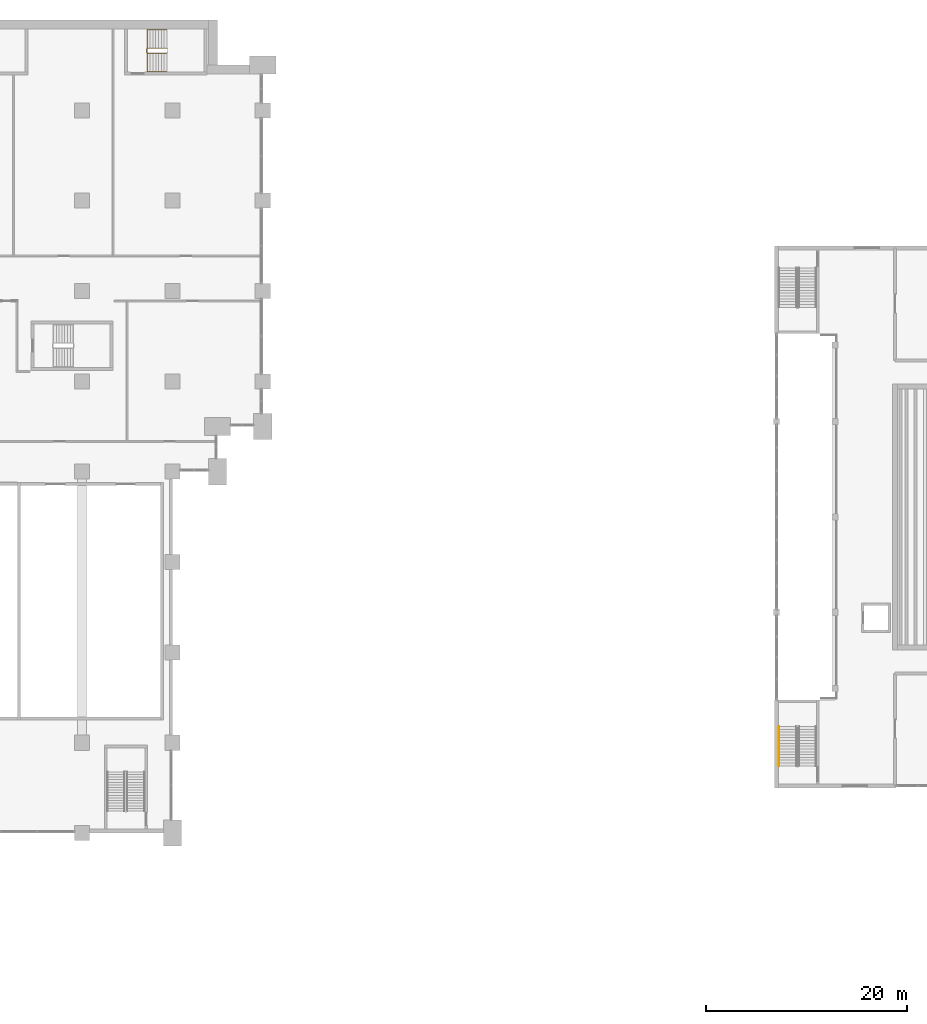
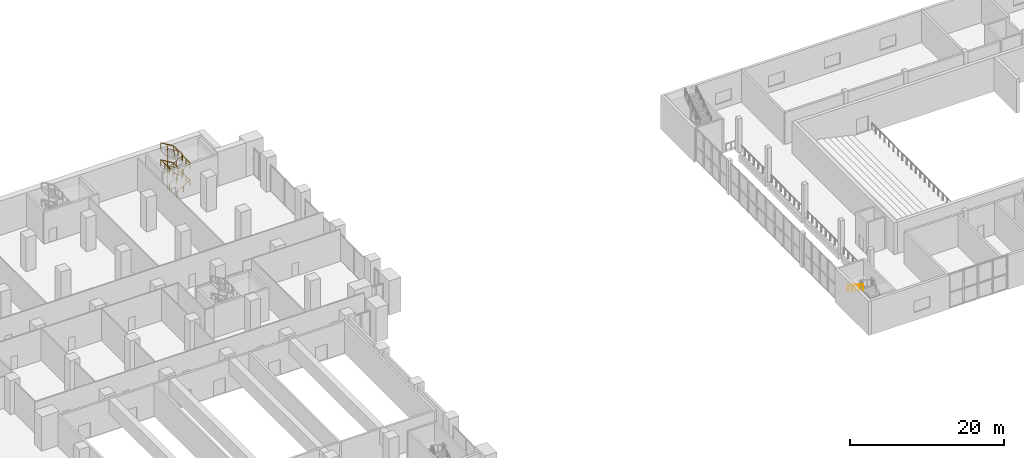
# One storey, part 37 of 43: 3 railings.
"""IFC4 building model written with IfcOpenShell, lengths in metres."""

from ifc_helpers import new_model, si_unit, direction, frame, origin, origin_2d, place, context, subcontext, project, spatial, circle, extrude, material, type_object, element, save


model = new_model("IFC4")

# Units and contexts
model_context = context("Model", 3, precision=1e-05, world=origin(), true_north=direction((0.0, 1.0)))
body_context = subcontext(model_context, "Body", "Model", "MODEL_VIEW")
ifc_project = project(units=[si_unit("LENGTHUNIT", "METRE"), si_unit("AREAUNIT", "SQUARE_METRE"), si_unit("VOLUMEUNIT", "CUBIC_METRE"), si_unit("PLANEANGLEUNIT", "RADIAN"), si_unit("MASSUNIT", "GRAM", prefix="KILO")], contexts=[model_context])

# Site, building, storey
site_placement = place(None, origin())
site = spatial("IfcSite", under=ifc_project, at=site_placement, CompositionType="ELEMENT")
building_placement = place(site_placement, origin())
building = spatial("IfcBuilding", under=site, at=building_placement, Name="Hunhe Ridgeline Campus", CompositionType="ELEMENT")
storey_placement = place(building_placement, frame((0.0, 0.0, 11.39990234375)))
storey = spatial("IfcBuildingStorey", under=building, at=storey_placement, Name="L02", CompositionType="ELEMENT", Elevation=11.39990234375)

# Railings
ifc_material_1 = material(Name="Steel Q235", Category="steel")
railing_type_1 = type_object("IfcRailingType", Name="Hall stair handrail", PredefinedType="HANDRAIL", material=ifc_material_1)
railing_1_placement = place(storey_placement, frame((150.449951171875, 28.6201171875, 2.880126953125)))
element("IfcRailing", 1, at=railing_1_placement, inside=storey, type_object=railing_type_1, Name="L02 HS1 stair handrail 2", PredefinedType="HANDRAIL", context=body_context, shape_type="SweptSolid", body=[
    extrude(circle(Radius=0.02392578125, at=origin_2d()), frame((0.0, 0.0, 0.8759765625), z_axis=(0.0, -0.841186985886, 0.540744352514), x_axis=(1.0, 0.0, 0.0)), (0.0, 0.0, 1.0), 4.660400390625),
    extrude(circle(Radius=0.02099609375, at=origin_2d()), origin(), (0.0, 0.0, 1.0), 0.851806640625),
    extrude(circle(Radius=0.02099609375, at=origin_2d()), frame((0.0, -0.97998046875, 0.6298828125)), (0.0, 0.0, 1.0), 0.851806640625),
    extrude(circle(Radius=0.02099609375, at=origin_2d()), frame((0.0, -1.9599609375, 1.260009765625)), (0.0, 0.0, 1.0), 0.851806640625),
    extrude(circle(Radius=0.02099609375, at=origin_2d()), frame((0.0, -2.940185546875, 1.89013671875)), (0.0, 0.0, 1.0), 0.851806640625),
    extrude(circle(Radius=0.02099609375, at=origin_2d()), frame((0.0, -3.920166015625, 2.52001953125)), (0.0, 0.0, 1.0), 0.851806640625),
])
ifc_material_2 = material(Name="Stainless steel balustrade", Category="steel")
railing_type_2 = type_object("IfcRailingType", Name="Stair guard 1100 stainless", PredefinedType="GUARDRAIL", material=ifc_material_2)
railing_2_placement = place(storey_placement, frame((87.5, 95.699951171875, 0.1689453125)))
element("IfcRailing", 2, at=railing_2_placement, inside=storey, type_object=railing_type_2, Name="L02 stair E4 guard", PredefinedType="GUARDRAIL", context=body_context, shape_type="SweptSolid", body=[
    extrude(circle(Radius=0.02392578125, at=origin_2d()), frame((0.0, 0.0, 1.076171875), z_axis=(0.856493463811, 0.0, 0.516157869696), x_axis=(0.0, 1.0, 0.0)), (0.0, 0.0, 1.0), 2.288330078125),
    extrude(circle(Radius=0.02392578125, at=origin_2d()), frame((1.9599609375, 0.0, 2.25732421875), z_axis=(0.707106781187, 0.707106781187, 0.0), x_axis=(-0.707106781187, 0.707106781187, 0.0)), (0.0, 0.0, 1.0), 0.07080078125),
    extrude(circle(Radius=0.02392578125, at=origin_2d()), frame((2.010009765625, 0.050048828125, 2.25732421875), z_axis=(0.0, 1.0, 0.0), x_axis=(-1.0, 0.0, 0.0)), (0.0, 0.0, 1.0), 0.39990234375),
    extrude(circle(Radius=0.02392578125, at=origin_2d()), frame((2.010009765625, 0.449951171875, 2.25732421875), z_axis=(-0.273569069059, 0.273569069059, 0.922127935218), x_axis=(-0.707106781187, -0.707106781187, 0.0)), (0.0, 0.0, 1.0), 0.182861328125),
    extrude(circle(Radius=0.02392578125, at=origin_2d()), frame((1.9599609375, 0.5, 2.42578125), z_axis=(-0.856446297458, 0.0, 0.516236127728), x_axis=(0.0, -1.0, 0.0)), (0.0, 0.0, 1.0), 2.28857421875),
    extrude(circle(Radius=0.02392578125, at=origin_2d()), frame((0.0, 0.5, 3.607421875), z_axis=(-0.707106781187, -0.707106781187, 0.0), x_axis=(0.707106781187, -0.707106781187, 0.0)), (0.0, 0.0, 1.0), 0.07080078125),
    extrude(circle(Radius=0.02392578125, at=origin_2d()), frame((-0.050048828125, 0.449951171875, 3.607421875), z_axis=(0.0, -1.0, 0.0), x_axis=(1.0, 0.0, 0.0)), (0.0, 0.0, 1.0), 0.39990234375),
    extrude(circle(Radius=0.02392578125, at=origin_2d()), frame((-0.050048828125, 0.050048828125, 3.607421875), z_axis=(0.273569069059, -0.273569069059, 0.922127935218), x_axis=(0.707106781187, 0.707106781187, 0.0)), (0.0, 0.0, 1.0), 0.182861328125),
    extrude(circle(Radius=0.02392578125, at=origin_2d()), frame((0.0, 0.0, 3.77587890625), z_axis=(0.856493463811, 0.0, 0.516157869696), x_axis=(0.0, 1.0, 0.0)), (0.0, 0.0, 1.0), 2.288330078125),
    extrude(circle(Radius=0.02392578125, at=origin_2d()), frame((1.9599609375, 0.0, 4.95703125), z_axis=(0.707106781187, 0.707106781187, 0.0), x_axis=(-0.707106781187, 0.707106781187, 0.0)), (0.0, 0.0, 1.0), 0.07080078125),
    extrude(circle(Radius=0.02392578125, at=origin_2d()), frame((2.010009765625, 0.050048828125, 4.95703125), z_axis=(0.0, 1.0, 0.0), x_axis=(-1.0, 0.0, 0.0)), (0.0, 0.0, 1.0), 0.39990234375),
    extrude(circle(Radius=0.02392578125, at=origin_2d()), frame((2.010009765625, 0.449951171875, 4.95703125), z_axis=(-0.273569069059, 0.273569069059, 0.922127935218), x_axis=(-0.707106781187, -0.707106781187, 0.0)), (0.0, 0.0, 1.0), 0.182861328125),
    extrude(circle(Radius=0.02392578125, at=origin_2d()), frame((1.9599609375, 0.5, 5.1259765625), z_axis=(-0.856446297458, 0.0, 0.516236127728), x_axis=(0.0, -1.0, 0.0)), (0.0, 0.0, 1.0), 2.28857421875),
    extrude(circle(Radius=0.02392578125, at=origin_2d()), frame((0.0, 0.5, 6.30712890625), z_axis=(-0.0092672541, -0.0092672541, -0.999914114313), x_axis=(1.0, 0.0, 0.0)), (0.0, 0.0, 1.0), 5.400634765625),
    extrude(circle(Radius=0.02392578125, at=origin_2d()), frame((-0.050048828125, 0.449951171875, 0.9072265625), z_axis=(0.0, -1.0, 0.0), x_axis=(1.0, 0.0, 0.0)), (0.0, 0.0, 1.0), 0.39990234375),
    extrude(circle(Radius=0.02099609375, at=origin_2d()), origin(), (0.0, 0.0, 1.0), 1.052001953125),
    extrude(circle(Radius=0.02099609375, at=origin_2d()), frame((0.97998046875, 0.0, 0.590576171875)), (0.0, 0.0, 1.0), 1.052001953125),
    extrude(circle(Radius=0.02099609375, at=origin_2d()), frame((1.9599609375, 0.0, 1.18115234375)), (0.0, 0.0, 1.0), 1.052001953125),
    extrude(circle(Radius=0.02099609375, at=origin_2d()), frame((2.010009765625, 0.050048828125, 1.18115234375)), (0.0, 0.0, 1.0), 1.052001953125),
    extrude(circle(Radius=0.02099609375, at=origin_2d()), frame((2.010009765625, 0.449951171875, 1.18115234375)), (0.0, 0.0, 1.0), 1.052001953125),
    extrude(circle(Radius=0.02099609375, at=origin_2d()), frame((1.9599609375, 0.5, 1.349853515625)), (0.0, 0.0, 1.0), 1.052001953125),
    extrude(circle(Radius=0.02099609375, at=origin_2d()), frame((0.97998046875, 0.5, 1.9404296875)), (0.0, 0.0, 1.0), 1.052001953125),
    extrude(circle(Radius=0.02099609375, at=origin_2d()), frame((0.0, 0.5, 2.53125)), (0.0, 0.0, 1.0), 1.052001953125),
    extrude(circle(Radius=0.02099609375, at=origin_2d()), frame((-0.050048828125, 0.449951171875, 2.53125)), (0.0, 0.0, 1.0), 1.052001953125),
    extrude(circle(Radius=0.02099609375, at=origin_2d()), frame((-0.050048828125, 0.050048828125, 2.53125)), (0.0, 0.0, 1.0), 1.052001953125),
    extrude(circle(Radius=0.02099609375, at=origin_2d()), frame((0.0, 0.0, 2.699951171875)), (0.0, 0.0, 1.0), 1.052001953125),
    extrude(circle(Radius=0.02099609375, at=origin_2d()), frame((0.97998046875, 0.0, 3.29052734375)), (0.0, 0.0, 1.0), 1.052001953125),
    extrude(circle(Radius=0.02099609375, at=origin_2d()), frame((1.9599609375, 0.0, 3.881103515625)), (0.0, 0.0, 1.0), 1.052001953125),
    extrude(circle(Radius=0.02099609375, at=origin_2d()), frame((2.010009765625, 0.050048828125, 3.881103515625)), (0.0, 0.0, 1.0), 1.052001953125),
    extrude(circle(Radius=0.02099609375, at=origin_2d()), frame((2.010009765625, 0.449951171875, 3.881103515625)), (0.0, 0.0, 1.0), 1.052001953125),
    extrude(circle(Radius=0.02099609375, at=origin_2d()), frame((1.9599609375, 0.5, 4.0498046875)), (0.0, 0.0, 1.0), 1.052001953125),
    extrude(circle(Radius=0.02099609375, at=origin_2d()), frame((0.97998046875, 0.5, 4.640625)), (0.0, 0.0, 1.0), 1.052001953125),
    extrude(circle(Radius=0.02099609375, at=origin_2d()), frame((0.0, 0.5, 5.231201171875)), (0.0, 0.0, 1.0), 1.052001953125),
    extrude(circle(Radius=0.02099609375, at=origin_2d()), frame((-0.010009765625, 0.489990234375, 4.151123046875)), (0.0, 0.0, 1.0), 1.052001953125),
    extrude(circle(Radius=0.02099609375, at=origin_2d()), frame((-0.02001953125, 0.47998046875, 3.071044921875)), (0.0, 0.0, 1.0), 1.052001953125),
    extrude(circle(Radius=0.02099609375, at=origin_2d()), frame((-0.030029296875, 0.469970703125, 1.9912109375)), (0.0, 0.0, 1.0), 1.052001953125),
    extrude(circle(Radius=0.02099609375, at=origin_2d()), frame((-0.0400390625, 0.4599609375, 0.9111328125)), (0.0, 0.0, 1.0), 1.052001953125),
    extrude(circle(Radius=0.02099609375, at=origin_2d()), frame((-0.050048828125, 0.449951171875, -0.1689453125)), (0.0, 0.0, 1.0), 1.052001953125),
    extrude(circle(Radius=0.02099609375, at=origin_2d()), frame((-0.050048828125, 0.050048828125, -0.1689453125)), (0.0, 0.0, 1.0), 1.052001953125),
])
ifc_material_3 = material(Name="Stainless steel handrail", Category="steel")
railing_type_3 = type_object("IfcRailingType", Name="Stair handrail 900 stainless", PredefinedType="HANDRAIL", material=ifc_material_3)
railing_3_placement = place(storey_placement, frame((87.5, 93.85009765625, 0.1689453125)))
element("IfcRailing", 3, at=railing_3_placement, inside=storey, type_object=railing_type_3, Name="L02 stair E4 handrail", PredefinedType="HANDRAIL", context=body_context, shape_type="SweptSolid", body=[
    extrude(circle(Radius=0.02392578125, at=origin_2d()), frame((0.0, 0.0, 0.8759765625), z_axis=(0.856493463811, 0.0, 0.516157869696), x_axis=(0.0, 1.0, 0.0)), (0.0, 0.0, 1.0), 2.288330078125),
    extrude(circle(Radius=0.02392578125, at=origin_2d()), frame((1.9599609375, 0.0, 2.05712890625), z_axis=(0.0, 0.999194264342, 0.040135048344), x_axis=(-1.0, 0.0, 0.0)), (0.0, 0.0, 1.0), 4.203369140625),
    extrude(circle(Radius=0.02392578125, at=origin_2d()), frame((1.9599609375, 4.199951171875, 2.2255859375), z_axis=(-0.856446297458, 0.0, 0.516236127728), x_axis=(0.0, -1.0, 0.0)), (0.0, 0.0, 1.0), 2.28857421875),
    extrude(circle(Radius=0.02392578125, at=origin_2d()), frame((0.0, 4.199951171875, 3.4072265625), z_axis=(0.0, -0.999194264342, 0.040135048344), x_axis=(1.0, 0.0, 0.0)), (0.0, 0.0, 1.0), 4.203369140625),
    extrude(circle(Radius=0.02392578125, at=origin_2d()), frame((0.0, 0.0, 3.57568359375), z_axis=(0.856493463811, 0.0, 0.516157869696), x_axis=(0.0, 1.0, 0.0)), (0.0, 0.0, 1.0), 2.288330078125),
    extrude(circle(Radius=0.02392578125, at=origin_2d()), frame((1.9599609375, 0.0, 4.7568359375), z_axis=(0.0, 0.999194264342, 0.040135048344), x_axis=(-1.0, 0.0, 0.0)), (0.0, 0.0, 1.0), 4.203369140625),
    extrude(circle(Radius=0.02392578125, at=origin_2d()), frame((1.9599609375, 4.199951171875, 4.92578125), z_axis=(-0.856446297458, 0.0, 0.516236127728), x_axis=(0.0, -1.0, 0.0)), (0.0, 0.0, 1.0), 2.28857421875),
    extrude(circle(Radius=0.02099609375, at=origin_2d()), origin(), (0.0, 0.0, 1.0), 0.851806640625),
    extrude(circle(Radius=0.02099609375, at=origin_2d()), frame((0.97998046875, 0.0, 0.590576171875)), (0.0, 0.0, 1.0), 0.851806640625),
    extrude(circle(Radius=0.02099609375, at=origin_2d()), frame((1.9599609375, 0.0, 1.18115234375)), (0.0, 0.0, 1.0), 0.851806640625),
    extrude(circle(Radius=0.02099609375, at=origin_2d()), frame((1.9599609375, 1.050048828125, 1.223388671875)), (0.0, 0.0, 1.0), 0.851806640625),
    extrude(circle(Radius=0.02099609375, at=origin_2d()), frame((1.9599609375, 2.10009765625, 1.265625)), (0.0, 0.0, 1.0), 0.851806640625),
    extrude(circle(Radius=0.02099609375, at=origin_2d()), frame((1.9599609375, 3.14990234375, 1.3076171875)), (0.0, 0.0, 1.0), 0.851806640625),
    extrude(circle(Radius=0.02099609375, at=origin_2d()), frame((1.9599609375, 4.199951171875, 1.349853515625)), (0.0, 0.0, 1.0), 0.851806640625),
    extrude(circle(Radius=0.02099609375, at=origin_2d()), frame((0.97998046875, 4.199951171875, 1.9404296875)), (0.0, 0.0, 1.0), 0.851806640625),
    extrude(circle(Radius=0.02099609375, at=origin_2d()), frame((0.0, 4.199951171875, 2.53125)), (0.0, 0.0, 1.0), 0.851806640625),
    extrude(circle(Radius=0.02099609375, at=origin_2d()), frame((0.0, 3.14990234375, 2.573486328125)), (0.0, 0.0, 1.0), 0.851806640625),
    extrude(circle(Radius=0.02099609375, at=origin_2d()), frame((0.0, 2.10009765625, 2.61572265625)), (0.0, 0.0, 1.0), 0.851806640625),
    extrude(circle(Radius=0.02099609375, at=origin_2d()), frame((0.0, 1.050048828125, 2.65771484375)), (0.0, 0.0, 1.0), 0.851806640625),
    extrude(circle(Radius=0.02099609375, at=origin_2d()), frame((0.0, 0.0, 2.699951171875)), (0.0, 0.0, 1.0), 0.851806640625),
    extrude(circle(Radius=0.02099609375, at=origin_2d()), frame((0.97998046875, 0.0, 3.29052734375)), (0.0, 0.0, 1.0), 0.851806640625),
    extrude(circle(Radius=0.02099609375, at=origin_2d()), frame((1.9599609375, 0.0, 3.881103515625)), (0.0, 0.0, 1.0), 0.851806640625),
    extrude(circle(Radius=0.02099609375, at=origin_2d()), frame((1.9599609375, 1.050048828125, 3.92333984375)), (0.0, 0.0, 1.0), 0.851806640625),
    extrude(circle(Radius=0.02099609375, at=origin_2d()), frame((1.9599609375, 2.10009765625, 3.96533203125)), (0.0, 0.0, 1.0), 0.851806640625),
    extrude(circle(Radius=0.02099609375, at=origin_2d()), frame((1.9599609375, 3.14990234375, 4.007568359375)), (0.0, 0.0, 1.0), 0.851806640625),
    extrude(circle(Radius=0.02099609375, at=origin_2d()), frame((1.9599609375, 4.199951171875, 4.0498046875)), (0.0, 0.0, 1.0), 0.851806640625),
    extrude(circle(Radius=0.02099609375, at=origin_2d()), frame((0.97998046875, 4.199951171875, 4.640625)), (0.0, 0.0, 1.0), 0.851806640625),
    extrude(circle(Radius=0.02099609375, at=origin_2d()), frame((0.0, 4.199951171875, 5.231201171875)), (0.0, 0.0, 1.0), 0.851806640625),
])

save(model, "model.ifc")
